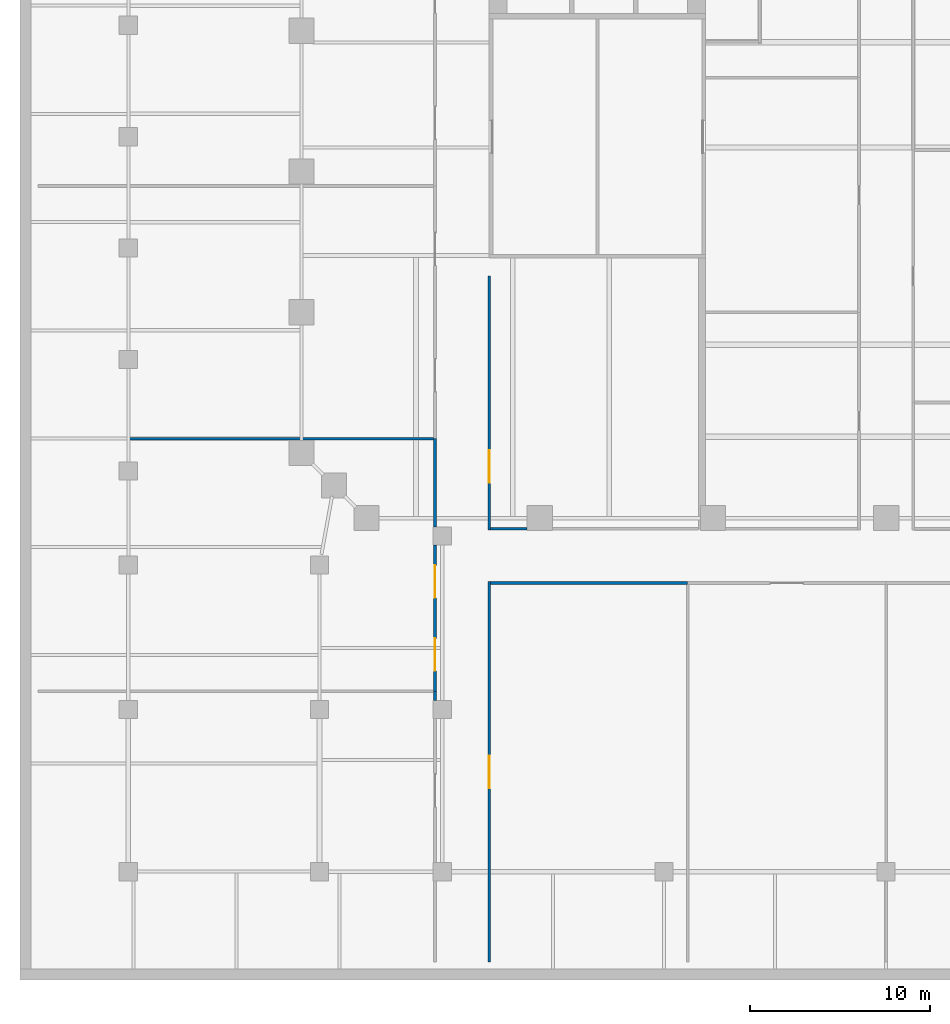
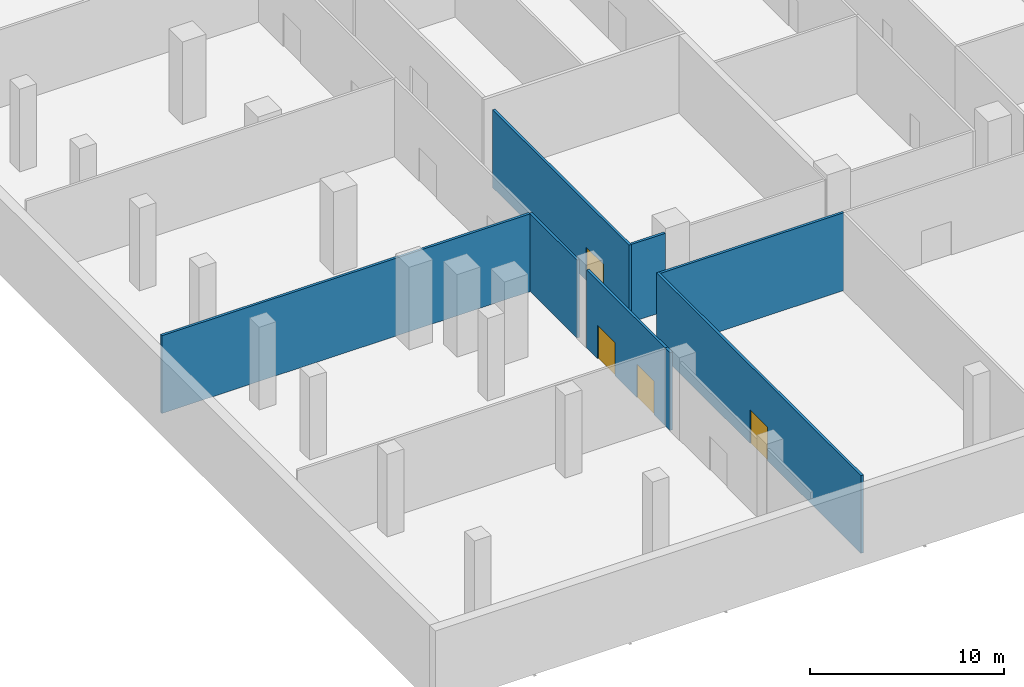
# One storey, part 5 of 15: 8 walls, 4 doors, 4 openings.
"""IFC4 building model written with IfcOpenShell, lengths in metres."""

from ifc_helpers import new_model, si_unit, direction, frame, frame_2d, origin, place, context, subcontext, project, spatial, rectangle, extrude, material, layer, layer_set, type_object, element, fill, save


model = new_model("IFC4")

# Units and contexts
model_context = context("Model", 3, precision=1e-05, world=origin(), true_north=direction((0.0, 1.0)))
body_context = subcontext(model_context, "Body", "Model", "MODEL_VIEW")
ifc_project = project(units=[si_unit("LENGTHUNIT", "METRE"), si_unit("AREAUNIT", "SQUARE_METRE"), si_unit("VOLUMEUNIT", "CUBIC_METRE"), si_unit("PLANEANGLEUNIT", "RADIAN"), si_unit("MASSUNIT", "GRAM", prefix="KILO")], contexts=[model_context])

# Site, building, storey
site_placement = place(None, origin())
site = spatial("IfcSite", under=ifc_project, at=site_placement, CompositionType="ELEMENT")
building_placement = place(site_placement, origin())
building = spatial("IfcBuilding", under=site, at=building_placement, Name="Ogive Exchange Tower", CompositionType="ELEMENT")
storey_placement = place(building_placement, frame((0.0, 0.0, -5.199951171875)))
storey = spatial("IfcBuildingStorey", under=building, at=storey_placement, Name="B1", CompositionType="ELEMENT", Elevation=-5.199951171875)

# Walls
ifc_material_1 = material(Name="Fire partition EI 60 150")
ifc_layer = layer(ifc_material_1, 0.14990234375)
ifc_layer_set = layer_set([ifc_layer], Name="Fire partition EI 60 150")
wall_type = type_object("IfcWallType", Name="Fire partition EI 60 150", PredefinedType="PARTITIONING", material=ifc_layer_set)
wall_1_placement = place(storey_placement, frame((-21.925048828125, -34.0, 0.0), z_axis=(0.0, 0.0, 1.0), x_axis=(1.0, 0.0, 0.0)))
element("IfcWall", 1, at=wall_1_placement, inside=storey, type_object=wall_type, Name="B1-PWL-004", PredefinedType="PARTITIONING", context=body_context, shape_type="SweptSolid", body=[
    extrude(rectangle(XDim=10.925048828125, YDim=0.14990234375, at=frame_2d((5.46240234375, 0.0))), origin(), (0.0, 0.0, 1.0), 4.89990234375),
])
wall_2_placement = place(storey_placement, frame((-21.925048828125, -31.0, 0.0), z_axis=(0.0, 0.0, 1.0), x_axis=(1.0, 0.0, 0.0)))
element("IfcWall", 2, at=wall_2_placement, inside=storey, type_object=wall_type, Name="B1-PWL-008", PredefinedType="PARTITIONING", context=body_context, shape_type="SweptSolid", body=[
    extrude(rectangle(XDim=2.025146484375, YDim=0.14990234375, at=frame_2d((1.0126953125, 0.0))), origin(), (0.0, 0.0, 1.0), 4.89990234375),
])
wall_3_placement = place(storey_placement, frame((-47.0, -26.0, 0.0), z_axis=(0.0, 0.0, 1.0), x_axis=(1.0, 0.0, 0.0)))
element("IfcWall", 3, at=wall_3_placement, inside=storey, type_object=wall_type, Name="B1-PWL-016", PredefinedType="PARTITIONING", context=body_context, shape_type="SweptSolid", body=[
    extrude(rectangle(XDim=21.925048828125, YDim=0.14990234375, at=frame_2d((10.96240234375, 0.0))), origin(), (0.0, 0.0, 1.0), 4.89990234375),
])
wall_4_placement = place(storey_placement, frame((-25.0, -40.5, 0.0), z_axis=(0.0, 0.0, 1.0), x_axis=(0.0, 1.0, 0.0)))
element("IfcWall", 4, at=wall_4_placement, inside=storey, type_object=wall_type, Name="B1-PWL-041", PredefinedType="PARTITIONING", context=body_context, shape_type="SweptSolid", body=[
    extrude(rectangle(XDim=0.5, YDim=0.14990234375, at=frame_2d((0.25, 0.0))), origin(), (0.0, 0.0, 1.0), 4.89990234375),
])

# Wall, openings, doors
wall_5_placement = place(storey_placement, frame((-25.0, -40.0, 0.0), z_axis=(0.0, 0.0, 1.0), x_axis=(0.0, 1.0, 0.0)))
wall_5 = element("IfcWall", 5, at=wall_5_placement, inside=storey, type_object=wall_type, Name="B1-PWL-042", PredefinedType="PARTITIONING", context=body_context, shape_type="SweptSolid", body=[
    extrude(rectangle(XDim=8.10009765625, YDim=0.14990234375, at=frame_2d((4.050048828125, 0.0))), origin(), (0.0, 0.0, 1.0), 4.89990234375),
])
opening_1_placement = place(wall_5_placement, frame((1.125, 0.0, 0.0)))
opening_1 = element("IfcOpeningElement", 6, at=opening_1_placement, cuts=wall_5, Name="Opening B1-I02", PredefinedType="OPENING", context=body_context, shape_type="SweptSolid", body=[
    extrude(rectangle(XDim=1.800048828125, YDim=2.10009765625, at=frame_2d((0.89990234375, 1.050048828125))), frame((0.0, 0.0849609375, 0.0), z_axis=(0.0, -1.0, 0.0), x_axis=(1.0, 0.0, 0.0)), (0.0, 0.0, 1.0), 0.169921875),
])
opening_2_placement = place(wall_5_placement, frame((5.175048828125, 0.0, 0.0)))
opening_2 = element("IfcOpeningElement", 7, at=opening_2_placement, cuts=wall_5, Name="Opening B1-I03", PredefinedType="OPENING", context=body_context, shape_type="SweptSolid", body=[
    extrude(rectangle(XDim=1.800048828125, YDim=2.10009765625, at=frame_2d((0.89990234375, 1.050048828125))), frame((0.0, 0.0849609375, 0.0), z_axis=(0.0, -1.0, 0.0), x_axis=(1.0, 0.0, 0.0)), (0.0, 0.0, 1.0), 0.169921875),
])
ifc_material_2 = material(Name="Fire door FD 30S 1800 x 2100")
door_type = type_object("IfcDoorType", Name="Fire door FD 30S 1800 x 2100", OperationType="DOUBLE_DOOR_SINGLE_SWING", PredefinedType="DOOR", material=ifc_material_2)
door_1_placement = place(opening_1_placement, frame((1.800048828125, 0.0, 0.0), z_axis=(0.0, 0.0, 1.0), x_axis=(-1.0, 0.0, 0.0)))
door_1 = element("IfcDoor", 8, at=door_1_placement, inside=storey, type_object=door_type, Name="B1-IDR-002", ObjectType="DT4", OperationType="SINGLE_SWING_RIGHT", OverallHeight=2.10009765625, OverallWidth=1.800048828125, PredefinedType="DOOR", context=body_context, shape_type="SweptSolid", body=[
    extrude(rectangle(XDim=1.800048828125, YDim=2.10009765625, at=frame_2d((0.89990234375, 1.050048828125))), frame((0.0, 0.02490234375, 0.0), z_axis=(0.0, -1.0, 0.0), x_axis=(1.0, 0.0, 0.0)), (0.0, 0.0, 1.0), 0.050048828125),
])
fill(opening_1, door_1)
door_2_placement = place(opening_2_placement, frame((1.800048828125, 0.0, 0.0), z_axis=(0.0, 0.0, 1.0), x_axis=(-1.0, 0.0, 0.0)))
door_2 = element("IfcDoor", 9, at=door_2_placement, inside=storey, type_object=door_type, Name="B1-IDR-003", ObjectType="DT4", OperationType="SINGLE_SWING_RIGHT", OverallHeight=2.10009765625, OverallWidth=1.800048828125, PredefinedType="DOOR", context=body_context, shape_type="SweptSolid", body=[
    extrude(rectangle(XDim=1.800048828125, YDim=2.10009765625, at=frame_2d((0.89990234375, 1.050048828125))), frame((0.0, 0.02490234375, 0.0), z_axis=(0.0, -1.0, 0.0), x_axis=(1.0, 0.0, 0.0)), (0.0, 0.0, 1.0), 0.050048828125),
])
fill(opening_2, door_2)

# Wall
wall_6_placement = place(storey_placement, frame((-25.0, -30.89990234375, 0.0), z_axis=(0.0, 0.0, 1.0), x_axis=(0.0, 1.0, 0.0)))
element("IfcWall", 10, at=wall_6_placement, inside=storey, type_object=wall_type, Name="B1-PWL-043", PredefinedType="PARTITIONING", context=body_context, shape_type="SweptSolid", body=[
    extrude(rectangle(XDim=4.89990234375, YDim=0.14990234375, at=frame_2d((2.449951171875, 0.0))), origin(), (0.0, 0.0, 1.0), 4.89990234375),
])

# Wall, opening, door
wall_7_placement = place(storey_placement, frame((-22.0, -55.0, 0.0), z_axis=(0.0, 0.0, 1.0), x_axis=(0.0, 1.0, 0.0)))
wall_7 = element("IfcWall", 11, at=wall_7_placement, inside=storey, type_object=wall_type, Name="B1-PWL-049", PredefinedType="PARTITIONING", context=body_context, shape_type="SweptSolid", body=[
    extrude(rectangle(XDim=21.074951171875, YDim=0.14990234375, at=frame_2d((10.53759765625, 0.0))), origin(), (0.0, 0.0, 1.0), 4.89990234375),
])
opening_3_placement = place(wall_7_placement, frame((9.637451171875, 0.0, 0.0)))
opening_3 = element("IfcOpeningElement", 12, at=opening_3_placement, cuts=wall_7, Name="Opening B1-I29", PredefinedType="OPENING", context=body_context, shape_type="SweptSolid", body=[
    extrude(rectangle(XDim=1.800048828125, YDim=2.10009765625, at=frame_2d((0.89990234375, 1.050048828125))), frame((0.0, 0.0849609375, 0.0), z_axis=(0.0, -1.0, 0.0), x_axis=(1.0, 0.0, 0.0)), (0.0, 0.0, 1.0), 0.169921875),
])
door_3_placement = place(opening_3_placement, frame((1.800048828125, 0.0, 0.0), z_axis=(0.0, 0.0, 1.0), x_axis=(-1.0, 0.0, 0.0)))
door_3 = element("IfcDoor", 13, at=door_3_placement, inside=storey, type_object=door_type, Name="B1-IDR-029", ObjectType="DT4", OperationType="SINGLE_SWING_RIGHT", OverallHeight=2.10009765625, OverallWidth=1.800048828125, PredefinedType="DOOR", context=body_context, shape_type="SweptSolid", body=[
    extrude(rectangle(XDim=1.800048828125, YDim=2.10009765625, at=frame_2d((0.89990234375, 1.050048828125))), frame((0.0, 0.02490234375, 0.0), z_axis=(0.0, -1.0, 0.0), x_axis=(1.0, 0.0, 0.0)), (0.0, 0.0, 1.0), 0.050048828125),
])
fill(opening_3, door_3)

wall_8_placement = place(storey_placement, frame((-22.0, -31.074951171875, 0.0), z_axis=(0.0, 0.0, 1.0), x_axis=(0.0, 1.0, 0.0)))
wall_8 = element("IfcWall", 14, at=wall_8_placement, inside=storey, type_object=wall_type, Name="B1-PWL-050", PredefinedType="PARTITIONING", context=body_context, shape_type="SweptSolid", body=[
    extrude(rectangle(XDim=14.074951171875, YDim=0.14990234375, at=frame_2d((7.03759765625, 0.0))), origin(), (0.0, 0.0, 1.0), 4.89990234375),
])
opening_4_placement = place(wall_8_placement, frame((2.61865234375, 0.0, 0.0)))
opening_4 = element("IfcOpeningElement", 15, at=opening_4_placement, cuts=wall_8, Name="Opening B1-I27", PredefinedType="OPENING", context=body_context, shape_type="SweptSolid", body=[
    extrude(rectangle(XDim=1.800048828125, YDim=2.10009765625, at=frame_2d((0.89990234375, 1.050048828125))), frame((0.0, 0.0849609375, 0.0), z_axis=(0.0, -1.0, 0.0), x_axis=(1.0, 0.0, 0.0)), (0.0, 0.0, 1.0), 0.169921875),
])
door_4_placement = place(opening_4_placement, origin())
door_4 = element("IfcDoor", 16, at=door_4_placement, inside=storey, type_object=door_type, Name="B1-IDR-027", ObjectType="DT4", OperationType="SINGLE_SWING_RIGHT", OverallHeight=2.10009765625, OverallWidth=1.800048828125, PredefinedType="DOOR", context=body_context, shape_type="SweptSolid", body=[
    extrude(rectangle(XDim=1.800048828125, YDim=2.10009765625, at=frame_2d((0.89990234375, 1.050048828125))), frame((0.0, 0.02490234375, 0.0), z_axis=(0.0, -1.0, 0.0), x_axis=(1.0, 0.0, 0.0)), (0.0, 0.0, 1.0), 0.050048828125),
])
fill(opening_4, door_4)

save(model, "model.ifc")
